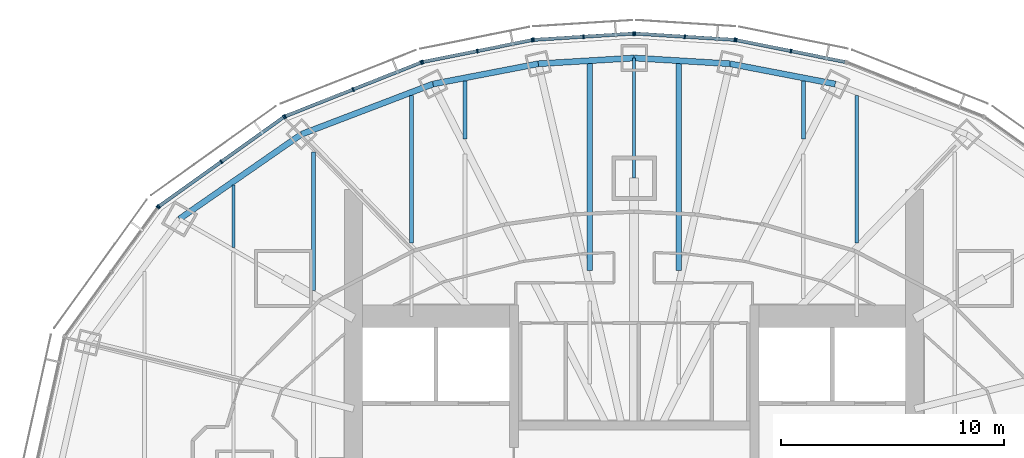
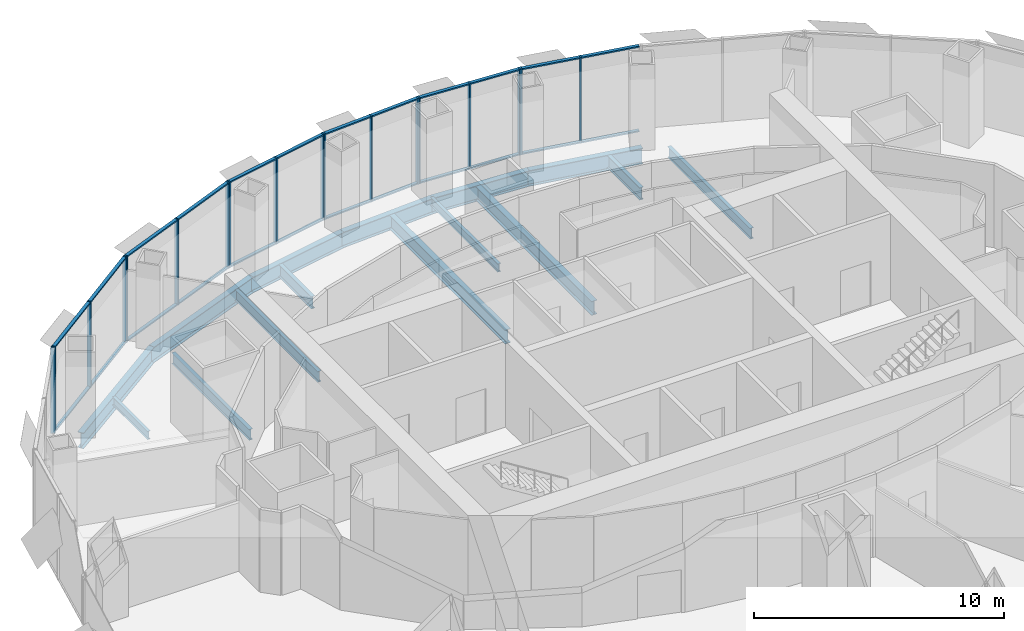
# One storey, part 8 of 17: 42 members, 15 beams, 7 elements without a shape of their own.
"""IFC4 building model written with IfcOpenShell, lengths in metres."""

from ifc_helpers import new_model, si_unit, direction, frame, origin, origin_2d, place, context, subcontext, project, spatial, rectangle, i_section, extrude, material, material_profile, profile_set, type_object, element, aggregate, save


model = new_model("IFC4")

# Units and contexts
model_context = context("Model", 3, precision=1e-05, world=origin(), true_north=direction((0.0, 1.0)))
body_context = subcontext(model_context, "Body", "Model", "MODEL_VIEW")
ifc_project = project(units=[si_unit("LENGTHUNIT", "METRE"), si_unit("AREAUNIT", "SQUARE_METRE"), si_unit("VOLUMEUNIT", "CUBIC_METRE"), si_unit("PLANEANGLEUNIT", "RADIAN"), si_unit("MASSUNIT", "GRAM", prefix="KILO")], contexts=[model_context])

# Site, building, storey
site_placement = place(None, origin())
site = spatial("IfcSite", under=ifc_project, at=site_placement, CompositionType="ELEMENT")
building_placement = place(site_placement, origin())
building = spatial("IfcBuilding", under=site, at=building_placement, Name="Lantaw Convention Tower", CompositionType="ELEMENT")
storey_placement = place(building_placement, frame((0.0, 0.0, 215.800048828125)))
storey = spatial("IfcBuildingStorey", under=building, at=storey_placement, Name="L50", CompositionType="ELEMENT", Elevation=215.800048828125)

# Beams
ifc_material_1 = material(Name="Steel ASTM A992", Category="steel")
ifc_material_profile_1 = material_profile(ifc_material_1, i_section(OverallWidth=0.2666015625, OverallDepth=0.76953125, WebThickness=0.015625, FlangeThickness=0.025390625, FilletRadius=0.0126953125, at=origin_2d()), Name="W30X132")
ifc_profile_set_1 = profile_set([ifc_material_profile_1], Name="Steel ASTM A992")
beam_type_1 = type_object("IfcBeamType", Name="Beam E W30X132", PredefinedType="SPANDREL", material=ifc_profile_set_1)
beam_1_placement = place(storey_placement, frame((9.03466796875, 17.7314453125, -0.534912109375), z_axis=(-0.981972091702, 0.189025953556, 0.0), x_axis=(-0.189025953556, -0.981972091702, 0.0)))
element("IfcBeam", 1, at=beam_1_placement, inside=storey, type_object=beam_type_1, Name="Edge beam 5", PredefinedType="SPANDREL", context=body_context, shape_type="SweptSolid", body=[
    extrude(i_section(OverallWidth=0.2666015625, OverallDepth=0.76953125, WebThickness=0.015625, FlangeThickness=0.025390625, FilletRadius=0.0126953125, at=origin_2d()), origin(), (0.0, 0.0, 1.0), 4.817626953125),
])
for number, where, z_axis, x_axis, name in (
    (2, (4.303955078125, 18.64208984375, -0.534912109375), (-0.998210730897, 0.059794119452, 0.0), (-0.059794119452, -0.998210730897, 0.0), "Edge beam 6"),
    (3, (0.0, 18.89990234375, -0.534912109375), (-0.998210730897, -0.059794119452, 0.0), (0.059794119452, -0.998210730897, 0.0), "Edge beam 7"),
):
    element("IfcBeam", number, at=place(storey_placement, frame(where, z_axis=z_axis, x_axis=x_axis)), inside=storey, type_object=beam_type_1, Name=name, PredefinedType="SPANDREL", context=body_context, shape_type="SweptSolid", body=[
        extrude(i_section(OverallWidth=0.2666015625, OverallDepth=0.76953125, WebThickness=0.015625, FlangeThickness=0.025390625, FilletRadius=0.0126953125, at=origin_2d()), origin(), (0.0, 0.0, 1.0), 4.311767578125),
    ])
beam_2_placement = place(storey_placement, frame((-4.303955078125, 18.64208984375, -0.534912109375), z_axis=(-0.981972091702, -0.189025953556, 0.0), x_axis=(0.189025953556, -0.981972091702, 0.0)))
element("IfcBeam", 4, at=beam_2_placement, inside=storey, type_object=beam_type_1, Name="Edge beam 8", PredefinedType="SPANDREL", context=body_context, shape_type="SweptSolid", body=[
    extrude(i_section(OverallWidth=0.2666015625, OverallDepth=0.76953125, WebThickness=0.015625, FlangeThickness=0.025390625, FilletRadius=0.0126953125, at=origin_2d()), origin(), (0.0, 0.0, 1.0), 4.817626953125),
])
beam_3_placement = place(storey_placement, frame((-9.03466796875, 17.7314453125, -0.534912109375), z_axis=(-0.934234988, -0.356658081637, 0.0), x_axis=(0.356658081637, -0.934234988, 0.0)))
element("IfcBeam", 5, at=beam_3_placement, inside=storey, type_object=beam_type_1, Name="Edge beam 9", PredefinedType="SPANDREL", context=body_context, shape_type="SweptSolid", body=[
    extrude(i_section(OverallWidth=0.2666015625, OverallDepth=0.76953125, WebThickness=0.015625, FlangeThickness=0.025390625, FilletRadius=0.0126953125, at=origin_2d()), origin(), (0.0, 0.0, 1.0), 6.32568359375),
])
beam_4_placement = place(storey_placement, frame((-14.9443359375, 15.475341796875, -0.534912109375), z_axis=(-0.82135329406, -0.570419815869, 0.0), x_axis=(0.570419815869, -0.82135329406, 0.0)))
element("IfcBeam", 6, at=beam_4_placement, inside=storey, type_object=beam_type_1, Name="Edge beam 10", PredefinedType="SPANDREL", context=body_context, shape_type="SweptSolid", body=[
    extrude(i_section(OverallWidth=0.2666015625, OverallDepth=0.76953125, WebThickness=0.015625, FlangeThickness=0.025390625, FilletRadius=0.0126953125, at=origin_2d()), origin(), (0.0, 0.0, 1.0), 6.67041015625),
])
ifc_material_profile_2 = material_profile(ifc_material_1, i_section(OverallWidth=0.140380859375, OverallDepth=0.40380859375, WebThickness=0.007080078125, FlangeThickness=0.01123046875, FilletRadius=0.01025390625, at=origin_2d()), Name="W16X31")
ifc_profile_set_2 = profile_set([ifc_material_profile_2], Name="Steel ASTM A992")
beam_type_2 = type_object("IfcBeamType", Name="Beam G W16X31", PredefinedType="BEAM", material=ifc_profile_set_2)
beam_5_placement = place(storey_placement, frame((0.0, 13.5, -0.35205078125), z_axis=(0.0, 1.0, 0.0), x_axis=(-1.0, 0.0, 0.0)))
element("IfcBeam", 7, at=beam_5_placement, inside=storey, type_object=beam_type_2, Name="Floor girder on ray 7", PredefinedType="BEAM", context=body_context, shape_type="SweptSolid", body=[
    extrude(i_section(OverallWidth=0.140380859375, OverallDepth=0.40380859375, WebThickness=0.007080078125, FlangeThickness=0.01123046875, FilletRadius=0.01025390625, at=origin_2d()), origin(), (0.0, 0.0, 1.0), 5.39990234375),
])
ifc_material_profile_3 = material_profile(ifc_material_1, i_section(OverallWidth=0.140380859375, OverallDepth=0.40380859375, WebThickness=0.007080078125, FlangeThickness=0.01123046875, FilletRadius=0.01025390625, at=origin_2d()), Name="W16X31")
ifc_profile_set_3 = profile_set([ifc_material_profile_3], Name="Steel ASTM A992")
beam_type_3 = type_object("IfcBeamType", Name="Beam J W16X31", PredefinedType="JOIST", material=ifc_profile_set_3)
beam_6_placement = place(storey_placement, frame((-18.0, 10.380859375, -0.35205078125), z_axis=(0.0, 1.0, 0.0), x_axis=(-1.0, 0.0, 0.0)))
element("IfcBeam", 8, at=beam_6_placement, inside=storey, type_object=beam_type_3, Name="Floor joist", PredefinedType="JOIST", context=body_context, shape_type="SweptSolid", body=[
    extrude(i_section(OverallWidth=0.140380859375, OverallDepth=0.40380859375, WebThickness=0.007080078125, FlangeThickness=0.01123046875, FilletRadius=0.01025390625, at=origin_2d()), origin(), (0.0, 0.0, 1.0), 2.81005859375),
])
ifc_material_profile_4 = material_profile(ifc_material_1, i_section(OverallWidth=0.1650390625, OverallDepth=0.52587890625, WebThickness=0.0087890625, FlangeThickness=0.011474609375, FilletRadius=0.0126953125, at=origin_2d()), Name="W21X44")
ifc_profile_set_4 = profile_set([ifc_material_profile_4], Name="Steel ASTM A992")
beam_type_4 = type_object("IfcBeamType", Name="Beam J W21X44", PredefinedType="JOIST", material=ifc_profile_set_4)
beam_7_placement = place(storey_placement, frame((-14.39990234375, 8.461181640625, -0.412841796875), z_axis=(0.0, 1.0, 0.0), x_axis=(-1.0, 0.0, 0.0)))
element("IfcBeam", 9, at=beam_7_placement, inside=storey, type_object=beam_type_4, Name="Floor joist", PredefinedType="JOIST", context=body_context, shape_type="SweptSolid", body=[
    extrude(i_section(OverallWidth=0.1650390625, OverallDepth=0.52587890625, WebThickness=0.0087890625, FlangeThickness=0.011474609375, FilletRadius=0.0126953125, at=origin_2d()), origin(), (0.0, 0.0, 1.0), 6.214599609375),
])
for number, where, z_axis, x_axis, name in (
    (10, (-10.0, 10.591064453125, -0.412841796875), (0.0, 1.0, 0.0), (-1.0, 0.0, 0.0), "Floor joist"),
    (11, (10.0, 10.591064453125, -0.412841796875), (0.0, 1.0, 0.0), (-1.0, 0.0, 0.0), "Floor joist"),
):
    element("IfcBeam", number, at=place(storey_placement, frame(where, z_axis=z_axis, x_axis=x_axis)), inside=storey, type_object=beam_type_4, Name=name, PredefinedType="JOIST", context=body_context, shape_type="SweptSolid", body=[
        extrude(i_section(OverallWidth=0.1650390625, OverallDepth=0.52587890625, WebThickness=0.0087890625, FlangeThickness=0.011474609375, FilletRadius=0.0126953125, at=origin_2d()), origin(), (0.0, 0.0, 1.0), 6.629150390625),
    ])
ifc_material_profile_5 = material_profile(ifc_material_1, i_section(OverallWidth=0.177978515625, OverallDepth=0.599365234375, WebThickness=0.010009765625, FlangeThickness=0.012939453125, FilletRadius=0.012939453125, at=origin_2d()), Name="W24X55")
ifc_profile_set_5 = profile_set([ifc_material_profile_5], Name="Steel ASTM A992")
beam_type_5 = type_object("IfcBeamType", Name="Beam J W24X55", PredefinedType="JOIST", material=ifc_profile_set_5)
for number, where, z_axis, x_axis, name in (
    (12, (-7.60009765625, 15.25439453125, -0.44970703125), (0.0, 1.0, 0.0), (-1.0, 0.0, 0.0), "Floor joist"),
    (13, (7.60009765625, 15.25439453125, -0.44970703125), (0.0, 1.0, 0.0), (-1.0, 0.0, 0.0), "Floor joist"),
):
    element("IfcBeam", number, at=place(storey_placement, frame(where, z_axis=z_axis, x_axis=x_axis)), inside=storey, type_object=beam_type_5, Name=name, PredefinedType="JOIST", context=body_context, shape_type="SweptSolid", body=[
        extrude(i_section(OverallWidth=0.177978515625, OverallDepth=0.599365234375, WebThickness=0.010009765625, FlangeThickness=0.012939453125, FilletRadius=0.012939453125, at=origin_2d()), origin(), (0.0, 0.0, 1.0), 2.617431640625),
    ])
ifc_material_profile_6 = material_profile(ifc_material_1, i_section(OverallWidth=0.25390625, OverallDepth=0.683349609375, WebThickness=0.012451171875, FlangeThickness=0.01904296875, FilletRadius=0.01513671875, at=origin_2d()), Name="W27X94")
ifc_profile_set_6 = profile_set([ifc_material_profile_6], Name="Steel ASTM A992")
beam_type_6 = type_object("IfcBeamType", Name="Beam J W27X94", PredefinedType="JOIST", material=ifc_profile_set_6)
for number, where, z_axis, x_axis, name in (
    (14, (-2.0, 9.34619140625, -0.49169921875), (0.0, 1.0, 0.0), (-1.0, 0.0, 0.0), "Floor joist"),
    (15, (2.0, 9.34619140625, -0.49169921875), (0.0, 1.0, 0.0), (-1.0, 0.0, 0.0), "Floor joist"),
):
    element("IfcBeam", number, at=place(storey_placement, frame(where, z_axis=z_axis, x_axis=x_axis)), inside=storey, type_object=beam_type_6, Name=name, PredefinedType="JOIST", context=body_context, shape_type="SweptSolid", body=[
        extrude(i_section(OverallWidth=0.25390625, OverallDepth=0.683349609375, WebThickness=0.012451171875, FlangeThickness=0.01904296875, FilletRadius=0.01513671875, at=origin_2d()), origin(), (0.0, 0.0, 1.0), 9.30029296875),
    ])

# Curtain wall, members
ifc_material_2 = material(Name="Aluminium framed curtain wall", Category="aluminium")
curtain_wall_type = type_object("IfcCurtainWallType", Name="Office curtain wall high rise, pale aluminium", PredefinedType="USERDEFINED", material=ifc_material_2)
curtain_wall_1_placement = place(storey_placement, origin())
curtain_wall_1 = element("IfcCurtainWall", 16, at=curtain_wall_1_placement, inside=storey, type_object=curtain_wall_type, Name="Office curtain wall high rise, pale aluminium L50", ObjectType="UNITISED CURTAIN WALL", PredefinedType="USERDEFINED")
ifc_material_3 = material(Name="Aluminium 6063-T6", Category="aluminium")
ifc_material_profile_7 = material_profile(ifc_material_3, rectangle(XDim=0.179931640625, YDim=0.06494140625, at=origin_2d()), Name="CW-O2 mullion 65x180")
ifc_profile_set_7 = profile_set([ifc_material_profile_7], Name="Aluminium 6063-T6")
member_type_1 = type_object("IfcMemberType", Name="CW-O2 mullion 65x180", PredefinedType="MULLION", material=ifc_profile_set_7)
member_1_placement = place(storey_placement, frame((7.042724609375, 19.212646484375, -0.150146484375), z_axis=(0.0, 0.0, 1.0), x_axis=(-0.197183095987, -0.980366679695, 0.0)))
member_1 = element("IfcMember", 17, at=member_1_placement, type_object=member_type_1, Name="CW-O2 mullion 2", PredefinedType="MULLION", context=body_context, shape_type="SweptSolid", body=[
    extrude(rectangle(XDim=0.179931640625, YDim=0.06494140625, at=origin_2d()), origin(), (0.0, 0.0, 1.0), 4.2001953125),
])
member_2_placement = place(storey_placement, frame((4.583251953125, 19.70751953125, -0.150146484375), z_axis=(0.0, 0.0, 1.0), x_axis=(-0.197183095987, -0.980366679695, 0.0)))
member_2 = element("IfcMember", 18, at=member_2_placement, type_object=member_type_1, Name="CW-O2 mullion 3", PredefinedType="MULLION", context=body_context, shape_type="SweptSolid", body=[
    extrude(rectangle(XDim=0.179931640625, YDim=0.06494140625, at=origin_2d()), origin(), (0.0, 0.0, 1.0), 4.2001953125),
])

curtain_wall_2_placement = place(storey_placement, origin())
curtain_wall_2 = element("IfcCurtainWall", 19, at=curtain_wall_2_placement, inside=storey, type_object=curtain_wall_type, Name="Office curtain wall high rise, pale aluminium L50", ObjectType="UNITISED CURTAIN WALL", PredefinedType="USERDEFINED")
member_3_placement = place(storey_placement, frame((4.518798828125, 19.7158203125, -0.150146484375), z_axis=(0.0, 0.0, 1.0), x_axis=(-0.062757983884, -0.998028774865, 0.0)))
member_3 = element("IfcMember", 20, at=member_3_placement, type_object=member_type_1, Name="CW-O2 mullion 1", PredefinedType="MULLION", context=body_context, shape_type="SweptSolid", body=[
    extrude(rectangle(XDim=0.179931640625, YDim=0.06494140625, at=origin_2d()), origin(), (0.0, 0.0, 1.0), 4.2001953125),
])
member_4_placement = place(storey_placement, frame((2.275634765625, 19.85693359375, -0.150146484375), z_axis=(0.0, 0.0, 1.0), x_axis=(-0.062757983884, -0.998028774865, 0.0)))
member_4 = element("IfcMember", 21, at=member_4_placement, type_object=member_type_1, Name="CW-O2 mullion 2", PredefinedType="MULLION", context=body_context, shape_type="SweptSolid", body=[
    extrude(rectangle(XDim=0.179931640625, YDim=0.06494140625, at=origin_2d()), origin(), (0.0, 0.0, 1.0), 4.2001953125),
])
member_5_placement = place(storey_placement, frame((0.032470703125, 19.998046875, -0.150146484375), z_axis=(0.0, 0.0, 1.0), x_axis=(-0.062757983884, -0.998028774865, 0.0)))
member_5 = element("IfcMember", 22, at=member_5_placement, type_object=member_type_1, Name="CW-O2 mullion 3", PredefinedType="MULLION", context=body_context, shape_type="SweptSolid", body=[
    extrude(rectangle(XDim=0.179931640625, YDim=0.06494140625, at=origin_2d()), origin(), (0.0, 0.0, 1.0), 4.2001953125),
])

curtain_wall_3_placement = place(storey_placement, origin())
curtain_wall_3 = element("IfcCurtainWall", 23, at=curtain_wall_3_placement, inside=storey, type_object=curtain_wall_type, Name="Office curtain wall high rise, pale aluminium L50", ObjectType="UNITISED CURTAIN WALL", PredefinedType="USERDEFINED")
member_6_placement = place(storey_placement, frame((-0.032470703125, 19.998046875, -0.150146484375), z_axis=(0.0, 0.0, 1.0), x_axis=(0.062757983884, -0.998028774865, 0.0)))
member_6 = element("IfcMember", 24, at=member_6_placement, type_object=member_type_1, Name="CW-O2 mullion 1", PredefinedType="MULLION", context=body_context, shape_type="SweptSolid", body=[
    extrude(rectangle(XDim=0.179931640625, YDim=0.06494140625, at=origin_2d()), origin(), (0.0, 0.0, 1.0), 4.2001953125),
])
member_7_placement = place(storey_placement, frame((-2.275634765625, 19.85693359375, -0.150146484375), z_axis=(0.0, 0.0, 1.0), x_axis=(0.062757983884, -0.998028774865, 0.0)))
member_7 = element("IfcMember", 25, at=member_7_placement, type_object=member_type_1, Name="CW-O2 mullion 2", PredefinedType="MULLION", context=body_context, shape_type="SweptSolid", body=[
    extrude(rectangle(XDim=0.179931640625, YDim=0.06494140625, at=origin_2d()), origin(), (0.0, 0.0, 1.0), 4.2001953125),
])
member_8_placement = place(storey_placement, frame((-4.518798828125, 19.7158203125, -0.150146484375), z_axis=(0.0, 0.0, 1.0), x_axis=(0.062757983884, -0.998028774865, 0.0)))
member_8 = element("IfcMember", 26, at=member_8_placement, type_object=member_type_1, Name="CW-O2 mullion 3", PredefinedType="MULLION", context=body_context, shape_type="SweptSolid", body=[
    extrude(rectangle(XDim=0.179931640625, YDim=0.06494140625, at=origin_2d()), origin(), (0.0, 0.0, 1.0), 4.2001953125),
])

curtain_wall_4_placement = place(storey_placement, origin())
curtain_wall_4 = element("IfcCurtainWall", 27, at=curtain_wall_4_placement, inside=storey, type_object=curtain_wall_type, Name="Office curtain wall high rise, pale aluminium L50", ObjectType="UNITISED CURTAIN WALL", PredefinedType="USERDEFINED")
member_9_placement = place(storey_placement, frame((-4.583251953125, 19.70751953125, -0.150146484375), z_axis=(0.0, 0.0, 1.0), x_axis=(0.197183095987, -0.980366679695, 0.0)))
member_9 = element("IfcMember", 28, at=member_9_placement, type_object=member_type_1, Name="CW-O2 mullion 1", PredefinedType="MULLION", context=body_context, shape_type="SweptSolid", body=[
    extrude(rectangle(XDim=0.179931640625, YDim=0.06494140625, at=origin_2d()), origin(), (0.0, 0.0, 1.0), 4.2001953125),
])
member_10_placement = place(storey_placement, frame((-7.042724609375, 19.212646484375, -0.150146484375), z_axis=(0.0, 0.0, 1.0), x_axis=(0.197183095987, -0.980366679695, 0.0)))
member_10 = element("IfcMember", 29, at=member_10_placement, type_object=member_type_1, Name="CW-O2 mullion 2", PredefinedType="MULLION", context=body_context, shape_type="SweptSolid", body=[
    extrude(rectangle(XDim=0.179931640625, YDim=0.06494140625, at=origin_2d()), origin(), (0.0, 0.0, 1.0), 4.2001953125),
])
member_11_placement = place(storey_placement, frame((-9.502197265625, 18.718017578125, -0.150146484375), z_axis=(0.0, 0.0, 1.0), x_axis=(0.197183095987, -0.980366679695, 0.0)))
member_11 = element("IfcMember", 30, at=member_11_placement, type_object=member_type_1, Name="CW-O2 mullion 3", PredefinedType="MULLION", context=body_context, shape_type="SweptSolid", body=[
    extrude(rectangle(XDim=0.179931640625, YDim=0.06494140625, at=origin_2d()), origin(), (0.0, 0.0, 1.0), 4.2001953125),
])

curtain_wall_5_placement = place(storey_placement, origin())
curtain_wall_5 = element("IfcCurtainWall", 31, at=curtain_wall_5_placement, inside=storey, type_object=curtain_wall_type, Name="Office curtain wall high rise, pale aluminium L50", ObjectType="UNITISED CURTAIN WALL", PredefinedType="USERDEFINED")
member_12_placement = place(storey_placement, frame((-9.564208984375, 18.69970703125, -0.150146484375), z_axis=(0.0, 0.0, 1.0), x_axis=(0.368162315252, -0.929761533743, 0.0)))
member_12 = element("IfcMember", 32, at=member_12_placement, type_object=member_type_1, Name="CW-O2 mullion 1", PredefinedType="MULLION", context=body_context, shape_type="SweptSolid", body=[
    extrude(rectangle(XDim=0.179931640625, YDim=0.06494140625, at=origin_2d()), origin(), (0.0, 0.0, 1.0), 4.2001953125),
])
member_13_placement = place(storey_placement, frame((-12.621337890625, 17.4892578125, -0.150146484375), z_axis=(0.0, 0.0, 1.0), x_axis=(0.368162315252, -0.929761533743, 0.0)))
member_13 = element("IfcMember", 33, at=member_13_placement, type_object=member_type_1, Name="CW-O2 mullion 2", PredefinedType="MULLION", context=body_context, shape_type="SweptSolid", body=[
    extrude(rectangle(XDim=0.179931640625, YDim=0.06494140625, at=origin_2d()), origin(), (0.0, 0.0, 1.0), 4.2001953125),
])
member_14_placement = place(storey_placement, frame((-15.67822265625, 16.278564453125, -0.150146484375), z_axis=(0.0, 0.0, 1.0), x_axis=(0.368162315252, -0.929761533743, 0.0)))
member_14 = element("IfcMember", 34, at=member_14_placement, type_object=member_type_1, Name="CW-O2 mullion 3", PredefinedType="MULLION", context=body_context, shape_type="SweptSolid", body=[
    extrude(rectangle(XDim=0.179931640625, YDim=0.06494140625, at=origin_2d()), origin(), (0.0, 0.0, 1.0), 4.2001953125),
])

curtain_wall_6_placement = place(storey_placement, origin())
curtain_wall_6 = element("IfcCurtainWall", 35, at=curtain_wall_6_placement, inside=storey, type_object=curtain_wall_type, Name="Office curtain wall high rise, pale aluminium L50", ObjectType="UNITISED CURTAIN WALL", PredefinedType="USERDEFINED")
member_15_placement = place(storey_placement, frame((-15.73486328125, 16.247802734375, -0.150146484375), z_axis=(0.0, 0.0, 1.0), x_axis=(0.581323487281, -0.813672540482, 0.0)))
member_15 = element("IfcMember", 36, at=member_15_placement, type_object=member_type_1, Name="CW-O2 mullion 1", PredefinedType="MULLION", context=body_context, shape_type="SweptSolid", body=[
    extrude(rectangle(XDim=0.179931640625, YDim=0.06494140625, at=origin_2d()), origin(), (0.0, 0.0, 1.0), 4.2001953125),
])
member_16_placement = place(storey_placement, frame((-18.543212890625, 14.241455078125, -0.150146484375), z_axis=(0.0, 0.0, 1.0), x_axis=(0.581323487281, -0.813672540482, 0.0)))
member_16 = element("IfcMember", 37, at=member_16_placement, type_object=member_type_1, Name="CW-O2 mullion 2", PredefinedType="MULLION", context=body_context, shape_type="SweptSolid", body=[
    extrude(rectangle(XDim=0.179931640625, YDim=0.06494140625, at=origin_2d()), origin(), (0.0, 0.0, 1.0), 4.2001953125),
])
member_17_placement = place(storey_placement, frame((-21.3515625, 12.23486328125, -0.150146484375), z_axis=(0.0, 0.0, 1.0), x_axis=(0.581323487281, -0.813672540482, 0.0)))
member_17 = element("IfcMember", 38, at=member_17_placement, type_object=member_type_1, Name="CW-O2 mullion 3", PredefinedType="MULLION", context=body_context, shape_type="SweptSolid", body=[
    extrude(rectangle(XDim=0.179931640625, YDim=0.06494140625, at=origin_2d()), origin(), (0.0, 0.0, 1.0), 4.2001953125),
])

# Curtain wall, member
curtain_wall_7_placement = place(storey_placement, origin())
curtain_wall_7 = element("IfcCurtainWall", 39, at=curtain_wall_7_placement, inside=storey, type_object=curtain_wall_type, Name="Office curtain wall high rise, pale aluminium L50", ObjectType="UNITISED CURTAIN WALL", PredefinedType="USERDEFINED")
member_18_placement = place(storey_placement, frame((-21.397216796875, 12.189697265625, -0.150146484375), z_axis=(0.0, 0.0, 1.0), x_axis=(0.810919559405, -0.585157643865, 0.0)))
member_18 = element("IfcMember", 40, at=member_18_placement, type_object=member_type_1, Name="CW-O2 mullion 1", PredefinedType="MULLION", context=body_context, shape_type="SweptSolid", body=[
    extrude(rectangle(XDim=0.179931640625, YDim=0.06494140625, at=origin_2d()), origin(), (0.0, 0.0, 1.0), 4.2001953125),
])
aggregate(curtain_wall_7, [member_18])

# Member
ifc_material_profile_8 = material_profile(ifc_material_3, rectangle(XDim=0.14990234375, YDim=0.06494140625, at=origin_2d()), Name="CW-O2 transom 65x150")
ifc_profile_set_8 = profile_set([ifc_material_profile_8], Name="Aluminium 6063-T6")
member_type_2 = type_object("IfcMemberType", Name="CW-O2 transom 65x150", PredefinedType="USERDEFINED", material=ifc_profile_set_8)
member_19_placement = place(storey_placement, frame((9.47021484375, 18.724365234375, -0.117431640625), z_axis=(-0.98036104319, 0.197211117829, 0.0), x_axis=(-0.197211117829, -0.98036104319, 0.0)))
member_19 = element("IfcMember", 41, at=member_19_placement, type_object=member_type_2, Name="CW-O2 transom 1.1", ObjectType="TRANSOM", PredefinedType="USERDEFINED", context=body_context, shape_type="SweptSolid", body=[
    extrude(rectangle(XDim=0.14990234375, YDim=0.06494140625, at=origin_2d()), origin(), (0.0, 0.0, 1.0), 2.44384765625),
])

member_20_placement = place(storey_placement, frame((9.47021484375, 18.724365234375, 4.017333984375), z_axis=(-0.98036104319, 0.197211117829, 0.0), x_axis=(-0.197211117829, -0.98036104319, 0.0)))
member_20 = element("IfcMember", 42, at=member_20_placement, type_object=member_type_2, Name="CW-O2 transom 1.2", ObjectType="TRANSOM", PredefinedType="USERDEFINED", context=body_context, shape_type="SweptSolid", body=[
    extrude(rectangle(XDim=0.14990234375, YDim=0.06494140625, at=origin_2d()), origin(), (0.0, 0.0, 1.0), 2.44384765625),
])

member_21_placement = place(storey_placement, frame((7.0107421875, 19.21923828125, -0.117431640625), z_axis=(-0.980380354178, 0.197115096178, 0.0), x_axis=(-0.197115096178, -0.980380354178, 0.0)))
member_21 = element("IfcMember", 43, at=member_21_placement, type_object=member_type_2, Name="CW-O2 transom 2.1", ObjectType="TRANSOM", PredefinedType="USERDEFINED", context=body_context, shape_type="SweptSolid", body=[
    extrude(rectangle(XDim=0.14990234375, YDim=0.06494140625, at=origin_2d()), origin(), (0.0, 0.0, 1.0), 2.443603515625),
])

member_22_placement = place(storey_placement, frame((7.0107421875, 19.21923828125, 4.017333984375), z_axis=(-0.980380354178, 0.197115096178, 0.0), x_axis=(-0.197115096178, -0.980380354178, 0.0)))
member_22 = element("IfcMember", 44, at=member_22_placement, type_object=member_type_2, Name="CW-O2 transom 2.2", ObjectType="TRANSOM", PredefinedType="USERDEFINED", context=body_context, shape_type="SweptSolid", body=[
    extrude(rectangle(XDim=0.14990234375, YDim=0.06494140625, at=origin_2d()), origin(), (0.0, 0.0, 1.0), 2.443603515625),
])

aggregate(curtain_wall_1, [member_1, member_2, member_19, member_20, member_21, member_22])

member_23_placement = place(storey_placement, frame((4.486328125, 19.7177734375, -0.117431640625), z_axis=(-0.998021991509, 0.062865765437, 0.0), x_axis=(-0.062865765437, -0.998021991509, 0.0)))
member_23 = element("IfcMember", 45, at=member_23_placement, type_object=member_type_2, Name="CW-O2 transom 1.1", ObjectType="TRANSOM", PredefinedType="USERDEFINED", context=body_context, shape_type="SweptSolid", body=[
    extrude(rectangle(XDim=0.14990234375, YDim=0.06494140625, at=origin_2d()), origin(), (0.0, 0.0, 1.0), 2.1826171875),
])

member_24_placement = place(storey_placement, frame((4.486328125, 19.7177734375, 4.017333984375), z_axis=(-0.998021991509, 0.062865765437, 0.0), x_axis=(-0.062865765437, -0.998021991509, 0.0)))
member_24 = element("IfcMember", 46, at=member_24_placement, type_object=member_type_2, Name="CW-O2 transom 1.2", ObjectType="TRANSOM", PredefinedType="USERDEFINED", context=body_context, shape_type="SweptSolid", body=[
    extrude(rectangle(XDim=0.14990234375, YDim=0.06494140625, at=origin_2d()), origin(), (0.0, 0.0, 1.0), 2.1826171875),
])

member_25_placement = place(storey_placement, frame((2.2431640625, 19.85888671875, -0.117431640625), z_axis=(-0.998029003644, 0.062754345555, 0.0), x_axis=(-0.062754345555, -0.998029003644, 0.0)))
member_25 = element("IfcMember", 47, at=member_25_placement, type_object=member_type_2, Name="CW-O2 transom 2.1", ObjectType="TRANSOM", PredefinedType="USERDEFINED", context=body_context, shape_type="SweptSolid", body=[
    extrude(rectangle(XDim=0.14990234375, YDim=0.06494140625, at=origin_2d()), origin(), (0.0, 0.0, 1.0), 2.1826171875),
])

member_26_placement = place(storey_placement, frame((2.2431640625, 19.85888671875, 4.017333984375), z_axis=(-0.998029003644, 0.062754345555, 0.0), x_axis=(-0.062754345555, -0.998029003644, 0.0)))
member_26 = element("IfcMember", 48, at=member_26_placement, type_object=member_type_2, Name="CW-O2 transom 2.2", ObjectType="TRANSOM", PredefinedType="USERDEFINED", context=body_context, shape_type="SweptSolid", body=[
    extrude(rectangle(XDim=0.14990234375, YDim=0.06494140625, at=origin_2d()), origin(), (0.0, 0.0, 1.0), 2.1826171875),
])

aggregate(curtain_wall_2, [member_3, member_4, member_5, member_23, member_24, member_25, member_26])

member_27_placement = place(storey_placement, frame((-0.06494140625, 19.995849609375, -0.117431640625), z_axis=(-0.998029003644, -0.062754345555, 0.0), x_axis=(0.062754345555, -0.998029003644, 0.0)))
member_27 = element("IfcMember", 49, at=member_27_placement, type_object=member_type_2, Name="CW-O2 transom 1.1", ObjectType="TRANSOM", PredefinedType="USERDEFINED", context=body_context, shape_type="SweptSolid", body=[
    extrude(rectangle(XDim=0.14990234375, YDim=0.06494140625, at=origin_2d()), origin(), (0.0, 0.0, 1.0), 2.1826171875),
])

member_28_placement = place(storey_placement, frame((-0.06494140625, 19.995849609375, 4.017333984375), z_axis=(-0.998029003644, -0.062754345555, 0.0), x_axis=(0.062754345555, -0.998029003644, 0.0)))
member_28 = element("IfcMember", 50, at=member_28_placement, type_object=member_type_2, Name="CW-O2 transom 1.2", ObjectType="TRANSOM", PredefinedType="USERDEFINED", context=body_context, shape_type="SweptSolid", body=[
    extrude(rectangle(XDim=0.14990234375, YDim=0.06494140625, at=origin_2d()), origin(), (0.0, 0.0, 1.0), 2.1826171875),
])

member_29_placement = place(storey_placement, frame((-2.30810546875, 19.85498046875, -0.117431640625), z_axis=(-0.998021991509, -0.062865765437, 0.0), x_axis=(0.062865765437, -0.998021991509, 0.0)))
member_29 = element("IfcMember", 51, at=member_29_placement, type_object=member_type_2, Name="CW-O2 transom 2.1", ObjectType="TRANSOM", PredefinedType="USERDEFINED", context=body_context, shape_type="SweptSolid", body=[
    extrude(rectangle(XDim=0.14990234375, YDim=0.06494140625, at=origin_2d()), origin(), (0.0, 0.0, 1.0), 2.1826171875),
])

member_30_placement = place(storey_placement, frame((-2.30810546875, 19.85498046875, 4.017333984375), z_axis=(-0.998021991509, -0.062865765437, 0.0), x_axis=(0.062865765437, -0.998021991509, 0.0)))
member_30 = element("IfcMember", 52, at=member_30_placement, type_object=member_type_2, Name="CW-O2 transom 2.2", ObjectType="TRANSOM", PredefinedType="USERDEFINED", context=body_context, shape_type="SweptSolid", body=[
    extrude(rectangle(XDim=0.14990234375, YDim=0.06494140625, at=origin_2d()), origin(), (0.0, 0.0, 1.0), 2.1826171875),
])

aggregate(curtain_wall_3, [member_6, member_7, member_8, member_27, member_28, member_29, member_30])

member_31_placement = place(storey_placement, frame((-4.614990234375, 19.700927734375, -0.117431640625), z_axis=(-0.980380354178, -0.197115096178, 0.0), x_axis=(0.197115096178, -0.980380354178, 0.0)))
member_31 = element("IfcMember", 53, at=member_31_placement, type_object=member_type_2, Name="CW-O2 transom 1.1", ObjectType="TRANSOM", PredefinedType="USERDEFINED", context=body_context, shape_type="SweptSolid", body=[
    extrude(rectangle(XDim=0.14990234375, YDim=0.06494140625, at=origin_2d()), origin(), (0.0, 0.0, 1.0), 2.443603515625),
])

member_32_placement = place(storey_placement, frame((-4.614990234375, 19.700927734375, 4.017333984375), z_axis=(-0.980380354178, -0.197115096178, 0.0), x_axis=(0.197115096178, -0.980380354178, 0.0)))
member_32 = element("IfcMember", 54, at=member_32_placement, type_object=member_type_2, Name="CW-O2 transom 1.2", ObjectType="TRANSOM", PredefinedType="USERDEFINED", context=body_context, shape_type="SweptSolid", body=[
    extrude(rectangle(XDim=0.14990234375, YDim=0.06494140625, at=origin_2d()), origin(), (0.0, 0.0, 1.0), 2.443603515625),
])

member_33_placement = place(storey_placement, frame((-7.074462890625, 19.206298828125, -0.117431640625), z_axis=(-0.98036104319, -0.197211117829, 0.0), x_axis=(0.197211117829, -0.98036104319, 0.0)))
member_33 = element("IfcMember", 55, at=member_33_placement, type_object=member_type_2, Name="CW-O2 transom 2.1", ObjectType="TRANSOM", PredefinedType="USERDEFINED", context=body_context, shape_type="SweptSolid", body=[
    extrude(rectangle(XDim=0.14990234375, YDim=0.06494140625, at=origin_2d()), origin(), (0.0, 0.0, 1.0), 2.44384765625),
])

member_34_placement = place(storey_placement, frame((-7.074462890625, 19.206298828125, 4.017333984375), z_axis=(-0.98036104319, -0.197211117829, 0.0), x_axis=(0.197211117829, -0.98036104319, 0.0)))
member_34 = element("IfcMember", 56, at=member_34_placement, type_object=member_type_2, Name="CW-O2 transom 2.2", ObjectType="TRANSOM", PredefinedType="USERDEFINED", context=body_context, shape_type="SweptSolid", body=[
    extrude(rectangle(XDim=0.14990234375, YDim=0.06494140625, at=origin_2d()), origin(), (0.0, 0.0, 1.0), 2.44384765625),
])

aggregate(curtain_wall_4, [member_9, member_10, member_11, member_31, member_32, member_33, member_34])

member_35_placement = place(storey_placement, frame((-9.594482421875, 18.687744140625, -0.117431640625), z_axis=(-0.929766642946, -0.368149412149, 0.0), x_axis=(0.368149412149, -0.929766642946, 0.0)))
member_35 = element("IfcMember", 57, at=member_35_placement, type_object=member_type_2, Name="CW-O2 transom 1.1", ObjectType="TRANSOM", PredefinedType="USERDEFINED", context=body_context, shape_type="SweptSolid", body=[
    extrude(rectangle(XDim=0.14990234375, YDim=0.06494140625, at=origin_2d()), origin(), (0.0, 0.0, 1.0), 3.222900390625),
])

member_36_placement = place(storey_placement, frame((-9.594482421875, 18.687744140625, 4.017333984375), z_axis=(-0.929766642946, -0.368149412149, 0.0), x_axis=(0.368149412149, -0.929766642946, 0.0)))
member_36 = element("IfcMember", 58, at=member_36_placement, type_object=member_type_2, Name="CW-O2 transom 1.2", ObjectType="TRANSOM", PredefinedType="USERDEFINED", context=body_context, shape_type="SweptSolid", body=[
    extrude(rectangle(XDim=0.14990234375, YDim=0.06494140625, at=origin_2d()), origin(), (0.0, 0.0, 1.0), 3.222900390625),
])

member_37_placement = place(storey_placement, frame((-12.651611328125, 17.477294921875, -0.117431640625), z_axis=(-0.929740712354, -0.368214893495, 0.0), x_axis=(0.368214893495, -0.929740712354, 0.0)))
member_37 = element("IfcMember", 59, at=member_37_placement, type_object=member_type_2, Name="CW-O2 transom 2.1", ObjectType="TRANSOM", PredefinedType="USERDEFINED", context=body_context, shape_type="SweptSolid", body=[
    extrude(rectangle(XDim=0.14990234375, YDim=0.06494140625, at=origin_2d()), origin(), (0.0, 0.0, 1.0), 3.22314453125),
])

member_38_placement = place(storey_placement, frame((-12.651611328125, 17.477294921875, 4.017333984375), z_axis=(-0.929740712354, -0.368214893495, 0.0), x_axis=(0.368214893495, -0.929740712354, 0.0)))
member_38 = element("IfcMember", 60, at=member_38_placement, type_object=member_type_2, Name="CW-O2 transom 2.2", ObjectType="TRANSOM", PredefinedType="USERDEFINED", context=body_context, shape_type="SweptSolid", body=[
    extrude(rectangle(XDim=0.14990234375, YDim=0.06494140625, at=origin_2d()), origin(), (0.0, 0.0, 1.0), 3.22314453125),
])

aggregate(curtain_wall_5, [member_12, member_13, member_14, member_35, member_36, member_37, member_38])

member_39_placement = place(storey_placement, frame((-15.761474609375, 16.22900390625, -0.117431640625), z_axis=(-0.813645780821, -0.581360940683, 0.0), x_axis=(0.581360940683, -0.813645780821, 0.0)))
member_39 = element("IfcMember", 61, at=member_39_placement, type_object=member_type_2, Name="CW-O2 transom 1.1", ObjectType="TRANSOM", PredefinedType="USERDEFINED", context=body_context, shape_type="SweptSolid", body=[
    extrude(rectangle(XDim=0.14990234375, YDim=0.06494140625, at=origin_2d()), origin(), (0.0, 0.0, 1.0), 3.386474609375),
])

member_40_placement = place(storey_placement, frame((-15.761474609375, 16.22900390625, 4.017333984375), z_axis=(-0.813645780821, -0.581360940683, 0.0), x_axis=(0.581360940683, -0.813645780821, 0.0)))
member_40 = element("IfcMember", 62, at=member_40_placement, type_object=member_type_2, Name="CW-O2 transom 1.2", ObjectType="TRANSOM", PredefinedType="USERDEFINED", context=body_context, shape_type="SweptSolid", body=[
    extrude(rectangle(XDim=0.14990234375, YDim=0.06494140625, at=origin_2d()), origin(), (0.0, 0.0, 1.0), 3.386474609375),
])

member_41_placement = place(storey_placement, frame((-18.56982421875, 14.222412109375, -0.117431640625), z_axis=(-0.813679882592, -0.581313210468, 0.0), x_axis=(0.581313210468, -0.813679882592, 0.0)))
member_41 = element("IfcMember", 63, at=member_41_placement, type_object=member_type_2, Name="CW-O2 transom 2.1", ObjectType="TRANSOM", PredefinedType="USERDEFINED", context=body_context, shape_type="SweptSolid", body=[
    extrude(rectangle(XDim=0.14990234375, YDim=0.06494140625, at=origin_2d()), origin(), (0.0, 0.0, 1.0), 3.38623046875),
])

member_42_placement = place(storey_placement, frame((-18.56982421875, 14.222412109375, 4.017333984375), z_axis=(-0.813679882592, -0.581313210468, 0.0), x_axis=(0.581313210468, -0.813679882592, 0.0)))
member_42 = element("IfcMember", 64, at=member_42_placement, type_object=member_type_2, Name="CW-O2 transom 2.2", ObjectType="TRANSOM", PredefinedType="USERDEFINED", context=body_context, shape_type="SweptSolid", body=[
    extrude(rectangle(XDim=0.14990234375, YDim=0.06494140625, at=origin_2d()), origin(), (0.0, 0.0, 1.0), 3.38623046875),
])

aggregate(curtain_wall_6, [member_15, member_16, member_17, member_39, member_40, member_41, member_42])

save(model, "model.ifc")
